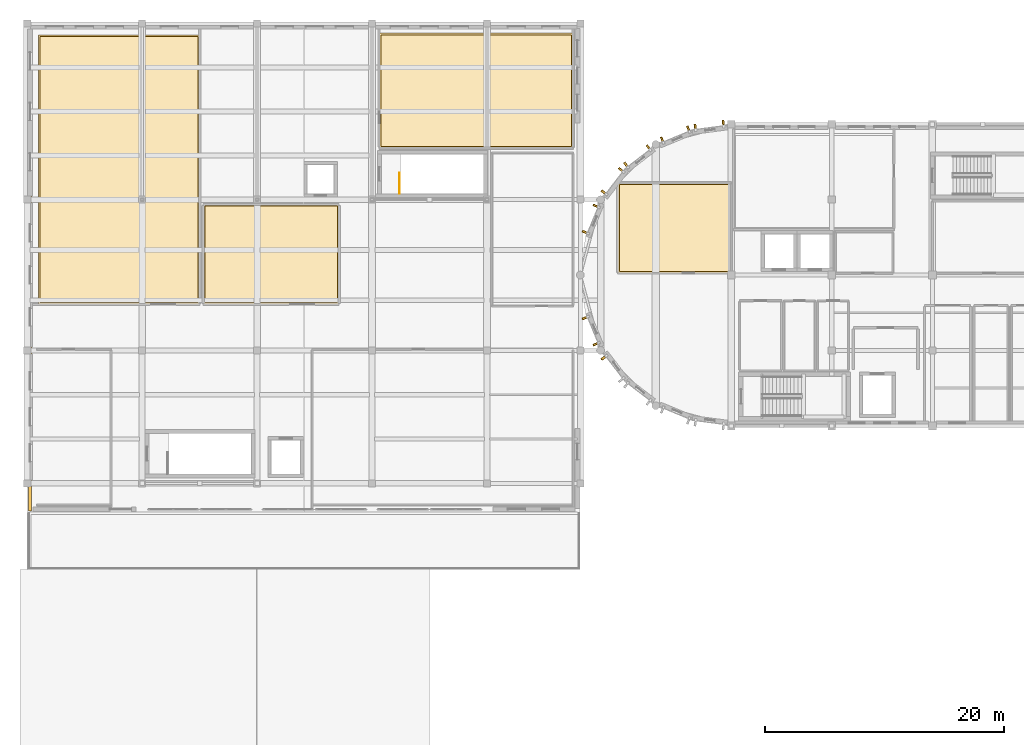
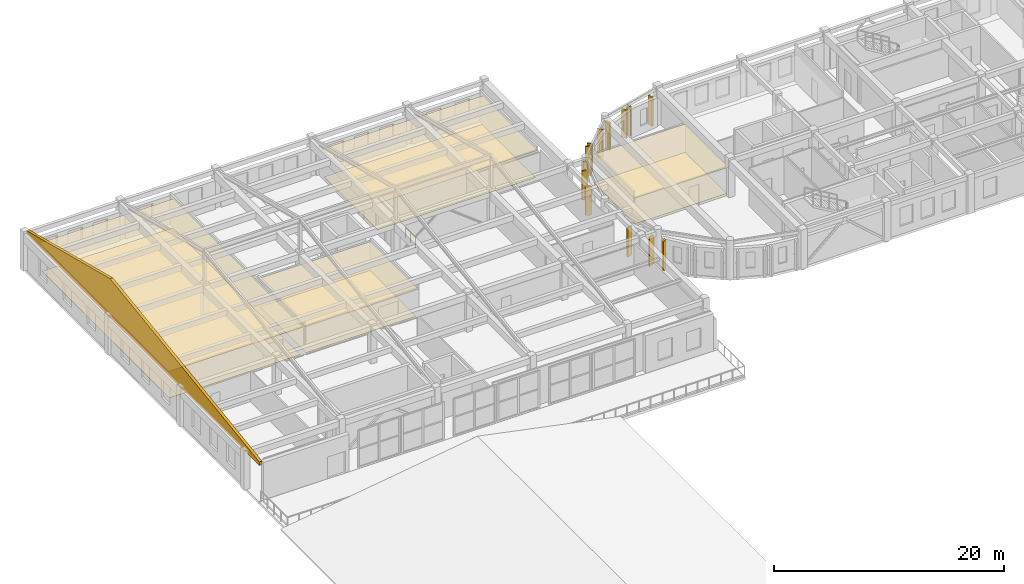
# One storey, part 25 of 29: 22 coverings, 1 railing.
"""IFC4 building model written with IfcOpenShell, lengths in metres."""

from ifc_helpers import new_model, si_unit, direction, frame, origin, origin_2d, place, context, subcontext, project, spatial, polyline, rectangle, circle, outline, extrude, material, layer, layer_set, type_object, element, save


model = new_model("IFC4")

# Units and contexts
model_context = context("Model", 3, precision=1e-05, world=origin(), true_north=direction((0.0, 1.0)))
body_context = subcontext(model_context, "Body", "Model", "MODEL_VIEW")
ifc_project = project(units=[si_unit("LENGTHUNIT", "METRE"), si_unit("AREAUNIT", "SQUARE_METRE"), si_unit("VOLUMEUNIT", "CUBIC_METRE"), si_unit("PLANEANGLEUNIT", "RADIAN"), si_unit("MASSUNIT", "GRAM", prefix="KILO")], contexts=[model_context])

# Site, building, storey
site_placement = place(None, origin())
site = spatial("IfcSite", under=ifc_project, at=site_placement, CompositionType="ELEMENT")
building_placement = place(site_placement, origin())
building = spatial("IfcBuilding", under=site, at=building_placement, Name="Tarnavel Promenade Courthouse", CompositionType="ELEMENT")
storey_placement = place(building_placement, frame((0.0, 0.0, 22.800048828125)))
storey = spatial("IfcBuildingStorey", under=building, at=storey_placement, Name="L06", CompositionType="ELEMENT", Elevation=22.800048828125)

# Coverings
ifc_material_1 = material(Name="Carved Buff Limestone Floor-Band Cornice Ledge", Category="masonry")
ifc_layer_1 = layer(ifc_material_1, 0.320068359375)
ifc_layer_set_1 = layer_set([ifc_layer_1], Name="Carved Buff Limestone Floor-Band Cornice Ledge")
covering_type_1 = type_object("IfcCoveringType", Name="Carved Buff Limestone Floor-Band Cornice Ledge COV-LEDGE-320 (320 mm)", PredefinedType="CLADDING", material=ifc_layer_set_1)
covering_1_placement = place(storey_placement, frame((0.239990234375, 72.10009765625, 3.75), z_axis=(0.0, 0.0, 1.0), x_axis=(0.0, 1.0, 0.0)))
element("IfcCovering", 1, at=covering_1_placement, inside=storey, type_object=covering_type_1, Name="L06 Trial Wing West Ashlar Gable Tympanum", PredefinedType="CLADDING", context=body_context, shape_type="SweptSolid", body=[
    extrude(outline(polyline([(0.0, 0.0), (40.599853515625, 0.0), (40.60009765625, 0.369873046875), (26.0, 4.08984375), (0.0, 0.369873046875), (0.0, 0.0)])), frame((0.0, 0.14013671875, 0.0), z_axis=(0.0, -1.0, 0.0), x_axis=(1.0, 0.0, 0.0)), (0.0, 0.0, 1.0), 0.280029296875),
])
ifc_material_2 = material(Name="Engineered Smoked Oak Courtroom & Chambers Parquet")
ifc_layer_2 = layer(ifc_material_2, 0.031982421875)
ifc_layer_set_2 = layer_set([ifc_layer_2], Name="Engineered Smoked Oak Courtroom & Chambers Parquet")
covering_type_2 = type_object("IfcCoveringType", Name="Engineered Smoked Oak Courtroom & Chambers Parquet (COV-FLR-OAK-32)", PredefinedType="FLOORING", material=ifc_layer_set_2)
covering_2_placement = place(storey_placement, origin())
element("IfcCovering", 2, at=covering_2_placement, inside=storey, type_object=covering_type_2, Name="L06 Commercial Arbitration Courtroom Architectural Flooring 0040", PredefinedType="FLOORING", context=body_context, shape_type="SweptSolid", body=[
    extrude(outline(polyline([(1.090087890625, 89.489990234375), (14.26806640625, 89.489990234375), (14.26806640625, 111.7099609375), (1.090087890625, 111.7099609375), (1.090087890625, 89.489990234375)])), origin(), (0.0, 0.0, 1.0), 0.031982421875),
])
covering_3_placement = place(storey_placement, origin())
element("IfcCovering", 3, at=covering_3_placement, inside=storey, type_object=covering_type_2, Name="L06 Tax and Customs Hearing Courtroom Architectural Flooring 0041", PredefinedType="FLOORING", context=body_context, shape_type="SweptSolid", body=[
    extrude(outline(polyline([(14.847900390625, 89.489990234375), (25.909912109375, 89.489990234375), (25.909912109375, 97.550048828125), (14.847900390625, 97.550048828125), (14.847900390625, 89.489990234375)])), origin(), (0.0, 0.0, 1.0), 0.031982421875),
])
covering_4_placement = place(storey_placement, origin())
element("IfcCovering", 4, at=covering_4_placement, inside=storey, type_object=covering_type_2, Name="L06 Judges' Chambers West Suite Architectural Flooring 0042", PredefinedType="FLOORING", context=body_context, shape_type="SweptSolid", body=[
    extrude(outline(polyline([(29.550048828125, 102.550048828125), (45.449951171875, 102.550048828125), (45.449951171875, 111.85009765625), (29.550048828125, 111.85009765625), (29.550048828125, 102.550048828125)])), origin(), (0.0, 0.0, 1.0), 0.031982421875),
])
covering_5_placement = place(storey_placement, origin())
element("IfcCovering", 5, at=covering_5_placement, inside=storey, type_object=covering_type_2, Name="L06 L06 West Drum Rotunda Chambers North Architectural Flooring 0046", PredefinedType="FLOORING", context=body_context, shape_type="SweptSolid", body=[
    extrude(outline(polyline([(49.449951171875, 92.10009765625), (58.64990234375, 92.10009765625), (58.64990234375, 99.35009765625), (49.449951171875, 99.35009765625), (49.449951171875, 92.10009765625)])), origin(), (0.0, 0.0, 1.0), 0.031982421875),
])
ifc_material_3 = material(Name="Micro-Perforated Acoustic Mineral-Fibre Ceiling")
ifc_layer_3 = layer(ifc_material_3, 0.044921875)
ifc_layer_set_3 = layer_set([ifc_layer_3], Name="Micro-Perforated Acoustic Mineral-Fibre Ceiling")
covering_type_3 = type_object("IfcCoveringType", Name="Micro-Perforated Acoustic Mineral-Fibre Ceiling (COV-CLG-MIN-45)", PredefinedType="CEILING", material=ifc_layer_set_3)
covering_6_placement = place(storey_placement, frame((0.0, 0.0, 2.905029296875)))
element("IfcCovering", 6, at=covering_6_placement, inside=storey, type_object=covering_type_3, Name="L06 Judges' Chambers West Suite Acoustic Ceiling 0042", PredefinedType="CEILING", context=body_context, shape_type="SweptSolid", body=[
    extrude(outline(polyline([(29.39990234375, 102.39990234375), (45.60009765625, 102.39990234375), (45.60009765625, 112.0), (29.39990234375, 112.0), (29.39990234375, 102.39990234375)])), origin(), (0.0, 0.0, 1.0), 0.044921875),
])
covering_7_placement = place(storey_placement, frame((0.0, 0.0, 2.85498046875)))
element("IfcCovering", 7, at=covering_7_placement, inside=storey, type_object=covering_type_3, Name="L06 L06 West Drum Rotunda Chambers North Acoustic Ceiling 0046", PredefinedType="CEILING", context=body_context, shape_type="SweptSolid", body=[
    extrude(outline(polyline([(49.300048828125, 91.949951171875), (58.800048828125, 91.949951171875), (58.800048828125, 99.5), (49.300048828125, 99.5), (49.300048828125, 91.949951171875)])), origin(), (0.0, 0.0, 1.0), 0.044921875),
])

# Railing
ifc_material_4 = material(Name="Painted Architectural Steel Core Stair Guardrail", Category="steel")
railing_type = type_object("IfcRailingType", Name="Painted Architectural Steel Core Stair Guardrail (RL-GRD-1100)", PredefinedType="GUARDRAIL", material=ifc_material_4)
railing_placement = place(storey_placement, frame((31.090087890625, 98.60009765625, 0.0)))
element("IfcRailing", 8, at=railing_placement, inside=storey, type_object=railing_type, Name="L06 ST-07 top well guard 1", PredefinedType="GUARDRAIL", context=body_context, shape_type="SweptSolid", body=[
    extrude(circle(Radius=0.02392578125, at=origin_2d()), frame((0.0, 0.0, 1.076171875), z_axis=(0.0, 1.0, 0.0), x_axis=(-1.0, 0.0, 0.0)), (0.0, 0.0, 1.0), 1.739990234375),
    extrude(circle(Radius=0.02099609375, at=origin_2d()), origin(), (0.0, 0.0, 1.0), 1.052001953125),
    extrude(circle(Radius=0.02099609375, at=origin_2d()), frame((0.0, 0.8701171875, 0.0)), (0.0, 0.0, 1.0), 1.052001953125),
    extrude(circle(Radius=0.02099609375, at=origin_2d()), frame((0.0, 1.739990234375, 0.0)), (0.0, 0.0, 1.0), 1.052001953125),
])

# Coverings
ifc_material_5 = material(Name="Patinated Copper-Bronze Fluted Pier Cladding")
ifc_layer_4 = layer(ifc_material_5, 0.52001953125)
ifc_layer_set_4 = layer_set([ifc_layer_4], Name="Patinated Copper-Bronze Fluted Pier Cladding")
covering_type_4 = type_object("IfcCoveringType", Name="Patinated Copper-Bronze Fluted Pier Cladding COV-PIER-520 (520 mm)", PredefinedType="CLADDING", material=ifc_layer_set_4)
for number, where, z_axis, x_axis, name in (
    (9, (58.14208984375, 104.45458984375, 0.0), (0.0, 0.0, 1.0), (-0.991444861374, -0.13052619222, 0.0), "L06 W Drum Fluted Copper Pier 0179"),
    (10, (55.798095703125, 104.14599609375, 0.0), (0.0, 0.0, 1.0), (-0.991444861374, -0.13052619222, 0.0), "L06 W Drum Fluted Copper Pier 0180"),
):
    element("IfcCovering", number, at=place(storey_placement, frame(where, z_axis=z_axis, x_axis=x_axis)), inside=storey, type_object=covering_type_4, Name=name, PredefinedType="CLADDING", context=body_context, shape_type="SweptSolid", body=[
        extrude(rectangle(XDim=0.159912109375, YDim=0.52001953125, at=origin_2d()), origin(), (0.0, 0.0, 1.0), 3.10009765625),
    ])
for number, where, z_axis, x_axis, name in (
    (11, (55.2265625, 103.992919921875, 0.0), (0.0, 0.0, 1.0), (-0.923879532511, -0.382683432365, 0.0), "L06 W Drum Fluted Copper Pier 0181"),
    (12, (53.042236328125, 103.088134765625, 0.0), (0.0, 0.0, 1.0), (-0.923879532511, -0.382683432365, 0.0), "L06 W Drum Fluted Copper Pier 0182"),
    (13, (51.903076171875, 102.430419921875, 0.0), (0.0, 0.0, 1.0), (-0.793353340291, -0.608761429009, 0.0), "L06 W Drum Fluted Copper Pier 0183"),
    (14, (50.02734375, 100.9912109375, 0.0), (0.0, 0.0, 1.0), (-0.793353340291, -0.608761429009, 0.0), "L06 W Drum Fluted Copper Pier 0184"),
):
    element("IfcCovering", number, at=place(storey_placement, frame(where, z_axis=z_axis, x_axis=x_axis)), inside=storey, type_object=covering_type_4, Name=name, PredefinedType="CLADDING", context=body_context, shape_type="SweptSolid", body=[
        extrude(rectangle(XDim=0.159912109375, YDim=0.52001953125, at=origin_2d()), origin(), (0.0, 0.0, 1.0), 3.0),
    ])
for number, where, z_axis, x_axis, name in (
    (15, (49.60888671875, 100.572509765625, 0.0), (0.0, 0.0, 1.0), (-0.608761429009, -0.793353340291, 0.0), "L06 W Drum Fluted Copper Pier 0185"),
    (16, (48.169677734375, 98.697021484375, 0.0), (0.0, 0.0, 1.0), (-0.608761429009, -0.793353340291, 0.0), "L06 W Drum Fluted Copper Pier 0186"),
    (17, (47.511962890625, 97.5576171875, 0.0), (0.0, 0.0, 1.0), (-0.382683432365, -0.923879532511, 0.0), "L06 W Drum Fluted Copper Pier 0187"),
    (18, (46.607177734375, 95.373291015625, 0.0), (0.0, 0.0, 1.0), (-0.382683432365, -0.923879532511, 0.0), "L06 W Drum Fluted Copper Pier 0188"),
    (19, (46.607177734375, 88.2265625, 0.0), (0.0, 0.0, 1.0), (0.382683432365, -0.923879532511, 0.0), "L06 W Drum Fluted Copper Pier 0189"),
    (20, (47.511962890625, 86.042236328125, 0.0), (0.0, 0.0, 1.0), (0.382683432365, -0.923879532511, 0.0), "L06 W Drum Fluted Copper Pier 0190"),
    (21, (48.169677734375, 84.903076171875, 0.0), (0.0, 0.0, 1.0), (0.608761429009, -0.793353340291, 0.0), "L06 W Drum Fluted Copper Pier 0191"),
):
    element("IfcCovering", number, at=place(storey_placement, frame(where, z_axis=z_axis, x_axis=x_axis)), inside=storey, type_object=covering_type_4, Name=name, PredefinedType="CLADDING", context=body_context, shape_type="SweptSolid", body=[
        extrude(rectangle(XDim=0.159912109375, YDim=0.52001953125, at=origin_2d()), origin(), (0.0, 0.0, 1.0), 3.10009765625),
    ])
ifc_material_6 = material(Name="Slatted Acoustic White Oak Baffle Ceiling")
ifc_layer_5 = layer(ifc_material_6, 0.06494140625)
ifc_layer_set_5 = layer_set([ifc_layer_5], Name="Slatted Acoustic White Oak Baffle Ceiling")
covering_type_5 = type_object("IfcCoveringType", Name="Slatted Acoustic White Oak Baffle Ceiling (COV-CLG-OAK-65)", PredefinedType="CEILING", material=ifc_layer_set_5)
covering_8_placement = place(storey_placement, frame((0.0, 0.0, 2.93505859375)))
element("IfcCovering", 22, at=covering_8_placement, inside=storey, type_object=covering_type_5, Name="L06 Commercial Arbitration Courtroom Acoustic Ceiling 0040", PredefinedType="CEILING", context=body_context, shape_type="SweptSolid", body=[
    extrude(outline(polyline([(0.93994140625, 89.340087890625), (14.41796875, 89.340087890625), (14.41796875, 111.860107421875), (0.93994140625, 111.860107421875), (0.93994140625, 89.340087890625)])), origin(), (0.0, 0.0, 1.0), 0.06494140625),
])
covering_9_placement = place(storey_placement, frame((0.0, 0.0, 2.885009765625)))
element("IfcCovering", 23, at=covering_9_placement, inside=storey, type_object=covering_type_5, Name="L06 Tax and Customs Hearing Courtroom Acoustic Ceiling 0041", PredefinedType="CEILING", context=body_context, shape_type="SweptSolid", body=[
    extrude(outline(polyline([(14.697998046875, 89.340087890625), (26.06005859375, 89.340087890625), (26.06005859375, 97.699951171875), (14.697998046875, 97.699951171875), (14.697998046875, 89.340087890625)])), origin(), (0.0, 0.0, 1.0), 0.06494140625),
])

save(model, "model.ifc")
